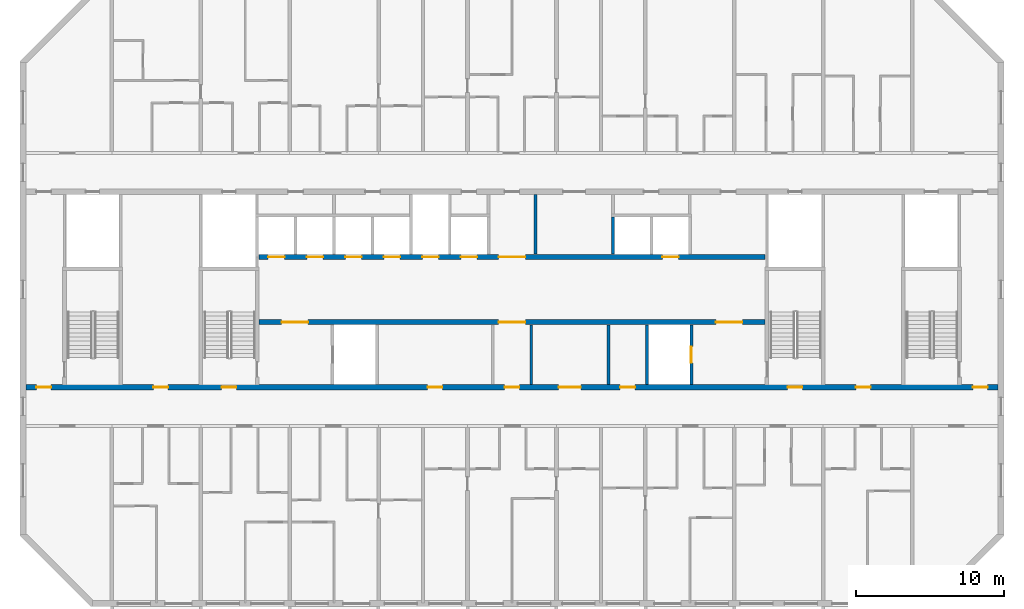
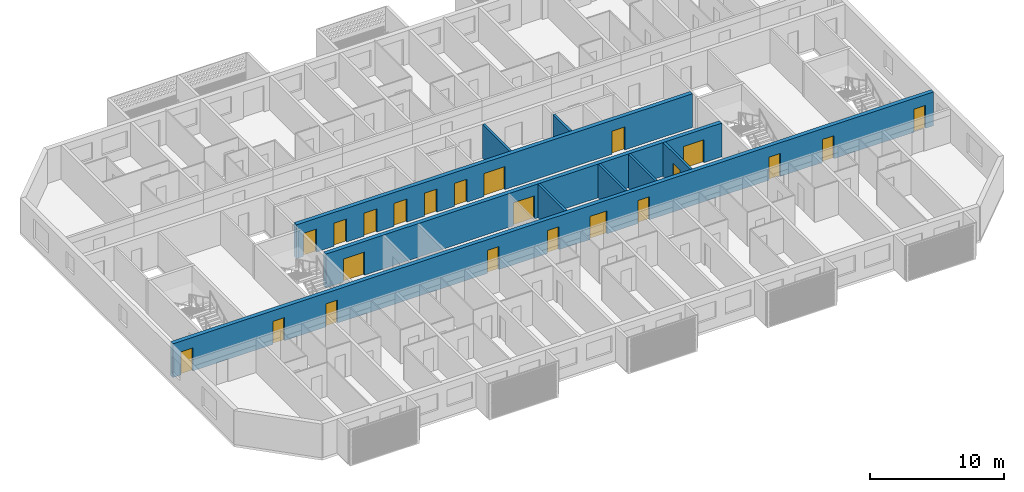
# One storey, part 6 of 26: 22 doors, 9 walls, 22 openings.
"""IFC4 building model written with IfcOpenShell, lengths in metres."""

import ifcopenshell
import ifcopenshell.guid

model = None  # the IFC model being written
_history = None  # IfcOwnerHistory: only IFC2X3 demands one
_inside = {}  # id of a spatial element -> (the spatial element, [elements in it])
_under = {}  # id of a project, library or spatial element -> (it, [spatial elements below it])
_declared = {}  # id of a project -> (the project, [libraries it declares])
_typed = {}  # id of a type object -> (the type object, [elements of that type])
_made_of = {}  # id of a material, layer set ... -> (it, [elements and type objects made of it])


def new_model(schema):
    """Start an empty IFC model of exactly this schema.

    Asked for "IFC4X3", IfcOpenShell would pick the latest addendum, in which some entities
    have other attributes; the version numbers below select the first issue.
    IFC2X3 requires an IfcOwnerHistory on every rooted entity: one is made here for all.
    """
    global model, _history
    if schema == "IFC4X3":
        model = ifcopenshell.file(schema_version=(4, 3, 0, 0))
    else:
        model = ifcopenshell.file(schema=schema)
    _inside.clear()
    _under.clear()
    _declared.clear()
    _typed.clear()
    _made_of.clear()
    _history = None
    if model.schema == "IFC2X3":
        org = make("IfcOrganization", Name="unknown")
        user = make(
            "IfcPersonAndOrganization",
            ThePerson=make("IfcPerson", FamilyName="unknown"),
            TheOrganization=org,
        )
        app = make(
            "IfcApplication",
            ApplicationDeveloper=org,
            Version="unknown",
            ApplicationFullName="unknown",
            ApplicationIdentifier="unknown",
        )
        _history = make(
            "IfcOwnerHistory",
            OwningUser=user,
            OwningApplication=app,
            ChangeAction="ADDED",
            CreationDate=0,
        )
    return model


def make(cls, **values):
    """One entity of the class cls with the attributes given. An attribute that is None is left unset."""
    return model.create_entity(
        cls, **{name: value for name, value in values.items() if value is not None}
    )


def rooted(cls, **values):
    """An entity with a GlobalId (a new one), such as an element, a storey or a relation."""
    return make(cls, GlobalId=ifcopenshell.guid.new(), OwnerHistory=_history, **values)


def si_unit(unit_type, name, prefix=None):
    """IfcSIUnit, for example si_unit("LENGTHUNIT", "METRE", prefix="MILLI")."""
    return make("IfcSIUnit", UnitType=unit_type, Prefix=prefix, Name=name)


def assignment(units):
    """IfcUnitAssignment: the units of a project."""
    return None if units is None else make("IfcUnitAssignment", Units=units)


def point(xyz):
    """IfcCartesianPoint."""
    return None if xyz is None else make("IfcCartesianPoint", Coordinates=xyz)


def direction(xyz):
    """IfcDirection."""
    return None if xyz is None else make("IfcDirection", DirectionRatios=xyz)


def frame(location, z_axis=None, x_axis=None):
    """IfcAxis2Placement3D, a coordinate frame: its origin and axes. An axis left out is left unset."""
    return make(
        "IfcAxis2Placement3D",
        Location=point(location),
        Axis=direction(z_axis),
        RefDirection=direction(x_axis),
    )


def frame_2d(location, x_axis=None):
    """IfcAxis2Placement2D, a coordinate frame in the plane: its origin and x axis."""
    return make(
        "IfcAxis2Placement2D", Location=point(location), RefDirection=direction(x_axis)
    )


def origin():
    """The frame at (0, 0, 0) with its axes left unset."""
    return frame((0.0, 0.0, 0.0))


def place(relative_to, where):
    """IfcLocalPlacement: puts the frame where relative to a parent placement (None: the world)."""
    return make(
        "IfcLocalPlacement", PlacementRelTo=relative_to, RelativePlacement=where
    )


def context(
    kind, dimensions, precision=None, world=None, true_north=None, identifier=None
):
    """IfcGeometricRepresentationContext, for example the 3D "Model" context."""
    return make(
        "IfcGeometricRepresentationContext",
        ContextIdentifier=identifier,
        ContextType=kind,
        CoordinateSpaceDimension=dimensions,
        Precision=precision,
        WorldCoordinateSystem=world,
        TrueNorth=true_north,
    )


def subcontext(parent, identifier, kind, view, scale=None):
    """IfcGeometricRepresentationSubContext, for example "Body" below "Model"."""
    return make(
        "IfcGeometricRepresentationSubContext",
        ContextIdentifier=identifier,
        ContextType=kind,
        ParentContext=parent,
        TargetScale=scale,
        TargetView=view,
    )


def project(units=None, contexts=None):
    """IfcProject with its units and contexts."""
    return rooted(
        "IfcProject",
        Name="project",
        RepresentationContexts=contexts,
        UnitsInContext=assignment(units),
    )


def spatial(cls, under=None, at=None, **own):
    """A site, building, storey or space (cls), placed at a placement, below another one or the project."""
    s = rooted(cls, ObjectPlacement=at, **own)
    if under is not None:
        _under.setdefault(under.id(), (under, []))[1].append(s)
    return s


def profile(cls, at=None, kind="AREA", **sizes):
    """A parametric profile (cls). Its sizes go by their IFC names, for example OverallWidth=200.0."""
    return make(cls, ProfileType=kind, Position=at, **sizes)


def rectangle(**sizes):
    """IfcRectangleProfileDef."""
    return profile("IfcRectangleProfileDef", **sizes)


def extrude(swept, where, along, depth):
    """IfcExtrudedAreaSolid: the profile swept, set in the frame where, extruded along a direction by depth."""
    return make(
        "IfcExtrudedAreaSolid",
        SweptArea=swept,
        Position=where,
        ExtrudedDirection=direction(along),
        Depth=depth,
    )


def shape(context_of_items, identifier, shape_type, items):
    """IfcShapeRepresentation: the items that make up one representation, for example the "Body"."""
    return make(
        "IfcShapeRepresentation",
        ContextOfItems=context_of_items,
        RepresentationIdentifier=identifier,
        RepresentationType=shape_type,
        Items=items,
    )


def material(Name=None, Category=None):
    """IfcMaterial."""
    return make("IfcMaterial", Name=Name, Category=Category)


def layer(
    of_material, thickness, ventilated=None, Name=None, Category=None, Priority=None
):
    """IfcMaterialLayer: one layer of a wall or slab, of a material (None: an air gap)."""
    return make(
        "IfcMaterialLayer",
        Material=of_material,
        LayerThickness=thickness,
        IsVentilated=ventilated,
        Name=Name,
        Category=Category,
        Priority=Priority,
    )


def layer_set(layers, Name=None):
    """IfcMaterialLayerSet."""
    return make("IfcMaterialLayerSet", MaterialLayers=layers, LayerSetName=Name)


def made_of(thing, what):
    """Note that an element or type object is made of a material, layer set ...; save() writes the relation."""
    if what is not None:
        _made_of.setdefault(what.id(), (what, []))[1].append(thing)
    return thing


def type_object(cls, material=None, **own):
    """A type object (cls), such as IfcWallType, which elements share."""
    return made_of(rooted(cls, **own), material)


def element(
    cls,
    number,
    at=None,
    inside=None,
    cuts=None,
    type_object=None,
    material=None,
    context=None,
    identifier="Body",
    shape_type=None,
    held_by="IfcProductDefinitionShape",
    body=None,
    shapes=None,
    **own,
):
    """One element of the class cls, such as IfcWall. Its Tag is "e" and its number.

    at: its placement. inside: the storey or other place that contains it. cuts: it is an
    opening in that element (IfcRelVoidsElement). A single representation is given by context,
    identifier, shape_type and body (its items); several are given by shapes. held_by: the class
    of the entity that holds the representations. save() writes the other relations.
    """
    e = rooted(cls, Tag="e%d" % number, ObjectPlacement=at, **own)
    if body is not None:
        shapes = [shape(context, identifier, shape_type, body)]
    if shapes is not None:
        e.Representation = make(held_by, Representations=shapes)
    if inside is not None:
        _inside.setdefault(inside.id(), (inside, []))[1].append(e)
    if cuts is not None:
        rooted(
            "IfcRelVoidsElement", RelatingBuildingElement=cuts, RelatedOpeningElement=e
        )
    if type_object is not None:
        _typed.setdefault(type_object.id(), (type_object, []))[1].append(e)
    return made_of(e, material)


def fill(opening, filler):
    """IfcRelFillsElement: the door or window that sits in an opening."""
    return rooted(
        "IfcRelFillsElement",
        RelatingOpeningElement=opening,
        RelatedBuildingElement=filler,
    )


def aggregate(whole, parts):
    """IfcRelAggregates: a whole, such as a stair, and the parts it consists of."""
    return rooted("IfcRelAggregates", RelatingObject=whole, RelatedObjects=parts)


def save(model, path):
    """Write the relations noted so far, then the file.

    IfcRelAggregates (storeys below a building ...), IfcRelContainedInSpatialStructure (elements
    in a storey), IfcRelDefinesByType, IfcRelAssociatesMaterial and IfcRelDeclares: one each for
    every whole, place, type object, material and project.
    """
    for whole, parts in _under.values():
        aggregate(whole, parts)
    for where, things in _inside.values():
        rooted(
            "IfcRelContainedInSpatialStructure",
            RelatedElements=things,
            RelatingStructure=where,
        )
    for kind, things in _typed.values():
        rooted("IfcRelDefinesByType", RelatedObjects=things, RelatingType=kind)
    for what, things in _made_of.values():
        rooted("IfcRelAssociatesMaterial", RelatedObjects=things, RelatingMaterial=what)
    for by, libraries in _declared.values():
        rooted("IfcRelDeclares", RelatingContext=by, RelatedDefinitions=libraries)
    model.write(path)


model = new_model("IFC4")

# Units and contexts
model_context = context("Model", 3, precision=1e-05, world=origin(), true_north=direction((0.0, 1.0)))
body_context = subcontext(model_context, "Body", "Model", "MODEL_VIEW")
ifc_project = project(units=[si_unit("LENGTHUNIT", "METRE"), si_unit("AREAUNIT", "SQUARE_METRE"), si_unit("VOLUMEUNIT", "CUBIC_METRE"), si_unit("PLANEANGLEUNIT", "RADIAN"), si_unit("MASSUNIT", "GRAM", prefix="KILO")], contexts=[model_context])

# Site, building, storey
site_placement = place(None, origin())
site = spatial("IfcSite", under=ifc_project, at=site_placement, CompositionType="ELEMENT")
building_placement = place(site_placement, origin())
building = spatial("IfcBuilding", under=site, at=building_placement, Name="Poui Terraces", CompositionType="ELEMENT")
storey_placement = place(building_placement, frame((0.0, 0.0, 228.0)))
storey = spatial("IfcBuildingStorey", under=building, at=storey_placement, Name="L63", CompositionType="ELEMENT", Elevation=228.0)

# Wall, openings, doors
ifc_material_1 = material(Name="Concrete 50 MPa", Category="concrete")
ifc_layer_1 = layer(ifc_material_1, 0.35009765625)
ifc_layer_set_1 = layer_set([ifc_layer_1], Name="Concrete 50 MPa")
wall_type_1 = type_object("IfcWallType", Name="CORE WALL 350 50 MPA", PredefinedType="SOLIDWALL", material=ifc_layer_set_1)
wall_1_placement = place(storey_placement, frame((33.925048828125, 19.0, 0.0), z_axis=(0.0, 0.0, 1.0), x_axis=(1.0, 0.0, 0.0)))
wall_1 = element("IfcWall", 1, at=wall_1_placement, inside=storey, type_object=wall_type_1, Name="CORE WALL", PredefinedType="SOLIDWALL", context=body_context, shape_type="SweptSolid", body=[
    extrude(rectangle(XDim=34.14990234375, YDim=0.35009765625, at=frame_2d((17.074951171875, 0.0))), origin(), (0.0, 0.0, 1.0), 3.080078125),
])
opening_1_placement = place(wall_1_placement, frame((16.175048828125, 0.0, 0.0)))
opening_1 = element("IfcOpeningElement", 2, at=opening_1_placement, cuts=wall_1, Name="Opening FDD60", PredefinedType="OPENING", context=body_context, shape_type="SweptSolid", body=[
    extrude(rectangle(XDim=1.800048828125, YDim=2.10009765625, at=frame_2d((0.89990234375, 1.050048828125))), frame((0.0, 0.18505859375, 0.0), z_axis=(0.0, -1.0, 0.0), x_axis=(1.0, 0.0, 0.0)), (0.0, 0.0, 1.0), 0.3701171875),
])
opening_2_placement = place(wall_1_placement, frame((1.52490234375, 0.0, 0.0)))
opening_2 = element("IfcOpeningElement", 3, at=opening_2_placement, cuts=wall_1, Name="Opening FDD60", PredefinedType="OPENING", context=body_context, shape_type="SweptSolid", body=[
    extrude(rectangle(XDim=1.800048828125, YDim=2.10009765625, at=frame_2d((0.89990234375, 1.050048828125))), frame((0.0, 0.18505859375, 0.0), z_axis=(0.0, -1.0, 0.0), x_axis=(1.0, 0.0, 0.0)), (0.0, 0.0, 1.0), 0.3701171875),
])
opening_3_placement = place(wall_1_placement, frame((30.824951171875, 0.0, 0.0)))
opening_3 = element("IfcOpeningElement", 4, at=opening_3_placement, cuts=wall_1, Name="Opening FDD60", PredefinedType="OPENING", context=body_context, shape_type="SweptSolid", body=[
    extrude(rectangle(XDim=1.800048828125, YDim=2.10009765625, at=frame_2d((0.89990234375, 1.050048828125))), frame((0.0, 0.18505859375, 0.0), z_axis=(0.0, -1.0, 0.0), x_axis=(1.0, 0.0, 0.0)), (0.0, 0.0, 1.0), 0.3701171875),
])
ifc_material_2 = material(Name="Steel fire door", Category="steel")
door_type_1 = type_object("IfcDoorType", Name="DOUBLE LOBBY FIRE DOOR 1800 X 2100", OperationType="DOUBLE_DOOR_SINGLE_SWING", PredefinedType="DOOR", material=ifc_material_2)
door_1_placement = place(opening_1_placement, frame((1.800048828125, 0.0, 0.0), z_axis=(0.0, 0.0, 1.0), x_axis=(-1.0, 0.0, 0.0)))
door_1 = element("IfcDoor", 5, at=door_1_placement, inside=storey, type_object=door_type_1, Name="DOUBLE LOBBY FIRE DOOR 100", OperationType="DOUBLE_DOOR_SINGLE_SWING", OverallHeight=2.10009765625, OverallWidth=1.800048828125, PredefinedType="DOOR", context=body_context, shape_type="SweptSolid", body=[
    extrude(rectangle(XDim=1.800048828125, YDim=2.10009765625, at=frame_2d((0.89990234375, 1.050048828125))), frame((0.0, 0.02490234375, 0.0), z_axis=(0.0, -1.0, 0.0), x_axis=(1.0, 0.0, 0.0)), (0.0, 0.0, 1.0), 0.050048828125),
])
fill(opening_1, door_1)
door_2_placement = place(opening_2_placement, origin())
door_2 = element("IfcDoor", 6, at=door_2_placement, inside=storey, type_object=door_type_1, Name="DOUBLE LOBBY FIRE DOOR 102", OperationType="DOUBLE_DOOR_SINGLE_SWING", OverallHeight=2.10009765625, OverallWidth=1.800048828125, PredefinedType="DOOR", context=body_context, shape_type="SweptSolid", body=[
    extrude(rectangle(XDim=1.800048828125, YDim=2.10009765625, at=frame_2d((0.89990234375, 1.050048828125))), frame((0.0, 0.02490234375, 0.0), z_axis=(0.0, -1.0, 0.0), x_axis=(1.0, 0.0, 0.0)), (0.0, 0.0, 1.0), 0.050048828125),
])
fill(opening_2, door_2)
door_3_placement = place(opening_3_placement, origin())
door_3 = element("IfcDoor", 7, at=door_3_placement, inside=storey, type_object=door_type_1, Name="DOUBLE LOBBY FIRE DOOR 109", OperationType="DOUBLE_DOOR_SINGLE_SWING", OverallHeight=2.10009765625, OverallWidth=1.800048828125, PredefinedType="DOOR", context=body_context, shape_type="SweptSolid", body=[
    extrude(rectangle(XDim=1.800048828125, YDim=2.10009765625, at=frame_2d((0.89990234375, 1.050048828125))), frame((0.0, 0.02490234375, 0.0), z_axis=(0.0, -1.0, 0.0), x_axis=(1.0, 0.0, 0.0)), (0.0, 0.0, 1.0), 0.050048828125),
])
fill(opening_3, door_3)

wall_2_placement = place(storey_placement, frame((33.925048828125, 23.39990234375, 0.0), z_axis=(0.0, 0.0, 1.0), x_axis=(1.0, 0.0, 0.0)))
wall_2 = element("IfcWall", 8, at=wall_2_placement, inside=storey, type_object=wall_type_1, Name="CORE WALL", PredefinedType="SOLIDWALL", context=body_context, shape_type="SweptSolid", body=[
    extrude(rectangle(XDim=34.14990234375, YDim=0.35009765625, at=frame_2d((17.074951171875, 0.0))), origin(), (0.0, 0.0, 1.0), 3.080078125),
])
opening_4_placement = place(wall_2_placement, frame((16.175048828125, 0.0, 0.0)))
opening_4 = element("IfcOpeningElement", 9, at=opening_4_placement, cuts=wall_2, Name="Opening FDD60", PredefinedType="OPENING", context=body_context, shape_type="SweptSolid", body=[
    extrude(rectangle(XDim=1.800048828125, YDim=2.10009765625, at=frame_2d((0.89990234375, 1.050048828125))), frame((0.0, 0.18505859375, 0.0), z_axis=(0.0, -1.0, 0.0), x_axis=(1.0, 0.0, 0.0)), (0.0, 0.0, 1.0), 0.3701171875),
])
opening_5_placement = place(wall_2_placement, frame((0.625, 0.0, 0.0)))
opening_5 = element("IfcOpeningElement", 10, at=opening_5_placement, cuts=wall_2, Name="Opening LD", PredefinedType="OPENING", context=body_context, shape_type="SweptSolid", body=[
    extrude(rectangle(XDim=1.10009765625, YDim=2.10009765625, at=frame_2d((0.550048828125, 1.050048828125))), frame((0.0, 0.18505859375, 0.0), z_axis=(0.0, -1.0, 0.0), x_axis=(1.0, 0.0, 0.0)), (0.0, 0.0, 1.0), 0.3701171875),
])
opening_6_placement = place(wall_2_placement, frame((3.22509765625, 0.0, 0.0)))
opening_6 = element("IfcOpeningElement", 11, at=opening_6_placement, cuts=wall_2, Name="Opening LD", PredefinedType="OPENING", context=body_context, shape_type="SweptSolid", body=[
    extrude(rectangle(XDim=1.10009765625, YDim=2.10009765625, at=frame_2d((0.550048828125, 1.050048828125))), frame((0.0, 0.18505859375, 0.0), z_axis=(0.0, -1.0, 0.0), x_axis=(1.0, 0.0, 0.0)), (0.0, 0.0, 1.0), 0.3701171875),
])
opening_7_placement = place(wall_2_placement, frame((5.824951171875, 0.0, 0.0)))
opening_7 = element("IfcOpeningElement", 12, at=opening_7_placement, cuts=wall_2, Name="Opening LD", PredefinedType="OPENING", context=body_context, shape_type="SweptSolid", body=[
    extrude(rectangle(XDim=1.10009765625, YDim=2.10009765625, at=frame_2d((0.550048828125, 1.050048828125))), frame((0.0, 0.18505859375, 0.0), z_axis=(0.0, -1.0, 0.0), x_axis=(1.0, 0.0, 0.0)), (0.0, 0.0, 1.0), 0.3701171875),
])
opening_8_placement = place(wall_2_placement, frame((8.425048828125, 0.0, 0.0)))
opening_8 = element("IfcOpeningElement", 13, at=opening_8_placement, cuts=wall_2, Name="Opening LD", PredefinedType="OPENING", context=body_context, shape_type="SweptSolid", body=[
    extrude(rectangle(XDim=1.10009765625, YDim=2.10009765625, at=frame_2d((0.550048828125, 1.050048828125))), frame((0.0, 0.18505859375, 0.0), z_axis=(0.0, -1.0, 0.0), x_axis=(1.0, 0.0, 0.0)), (0.0, 0.0, 1.0), 0.3701171875),
])
opening_9_placement = place(wall_2_placement, frame((11.02490234375, 0.0, 0.0)))
opening_9 = element("IfcOpeningElement", 14, at=opening_9_placement, cuts=wall_2, Name="Opening LD", PredefinedType="OPENING", context=body_context, shape_type="SweptSolid", body=[
    extrude(rectangle(XDim=1.10009765625, YDim=2.10009765625, at=frame_2d((0.550048828125, 1.050048828125))), frame((0.0, 0.18505859375, 0.0), z_axis=(0.0, -1.0, 0.0), x_axis=(1.0, 0.0, 0.0)), (0.0, 0.0, 1.0), 0.3701171875),
])
opening_10_placement = place(wall_2_placement, frame((13.625, 0.0, 0.0)))
opening_10 = element("IfcOpeningElement", 15, at=opening_10_placement, cuts=wall_2, Name="Opening LD", PredefinedType="OPENING", context=body_context, shape_type="SweptSolid", body=[
    extrude(rectangle(XDim=1.10009765625, YDim=2.10009765625, at=frame_2d((0.550048828125, 1.050048828125))), frame((0.0, 0.18505859375, 0.0), z_axis=(0.0, -1.0, 0.0), x_axis=(1.0, 0.0, 0.0)), (0.0, 0.0, 1.0), 0.3701171875),
])
opening_11_placement = place(wall_2_placement, frame((27.22509765625, 0.0, 0.0)))
opening_11 = element("IfcOpeningElement", 16, at=opening_11_placement, cuts=wall_2, Name="Opening LD", PredefinedType="OPENING", context=body_context, shape_type="SweptSolid", body=[
    extrude(rectangle(XDim=1.10009765625, YDim=2.10009765625, at=frame_2d((0.550048828125, 1.050048828125))), frame((0.0, 0.18505859375, 0.0), z_axis=(0.0, -1.0, 0.0), x_axis=(1.0, 0.0, 0.0)), (0.0, 0.0, 1.0), 0.3701171875),
])
door_4_placement = place(opening_4_placement, origin())
door_4 = element("IfcDoor", 17, at=door_4_placement, inside=storey, type_object=door_type_1, Name="DOUBLE LOBBY FIRE DOOR 099", OperationType="DOUBLE_DOOR_SINGLE_SWING", OverallHeight=2.10009765625, OverallWidth=1.800048828125, PredefinedType="DOOR", context=body_context, shape_type="SweptSolid", body=[
    extrude(rectangle(XDim=1.800048828125, YDim=2.10009765625, at=frame_2d((0.89990234375, 1.050048828125))), frame((0.0, 0.02490234375, 0.0), z_axis=(0.0, -1.0, 0.0), x_axis=(1.0, 0.0, 0.0)), (0.0, 0.0, 1.0), 0.050048828125),
])
fill(opening_4, door_4)
ifc_material_3 = material(Name="Stainless steel sliding door", Category="steel")
door_type_2 = type_object("IfcDoorType", Name="LIFT LANDING DOOR 1100 X 2100", OperationType="DOUBLE_DOOR_SLIDING", PredefinedType="DOOR", material=ifc_material_3)
door_5_placement = place(opening_5_placement, origin())
door_5 = element("IfcDoor", 18, at=door_5_placement, inside=storey, type_object=door_type_2, Name="LANDING DOOR", OperationType="DOUBLE_DOOR_SLIDING", OverallHeight=2.10009765625, OverallWidth=1.10009765625, PredefinedType="DOOR", context=body_context, shape_type="SweptSolid", body=[
    extrude(rectangle(XDim=1.10009765625, YDim=2.10009765625, at=frame_2d((0.550048828125, 1.050048828125))), frame((0.0, 0.02490234375, 0.0), z_axis=(0.0, -1.0, 0.0), x_axis=(1.0, 0.0, 0.0)), (0.0, 0.0, 1.0), 0.050048828125),
])
fill(opening_5, door_5)
door_6_placement = place(opening_6_placement, origin())
door_6 = element("IfcDoor", 19, at=door_6_placement, inside=storey, type_object=door_type_2, Name="LANDING DOOR", OperationType="DOUBLE_DOOR_SLIDING", OverallHeight=2.10009765625, OverallWidth=1.10009765625, PredefinedType="DOOR", context=body_context, shape_type="SweptSolid", body=[
    extrude(rectangle(XDim=1.10009765625, YDim=2.10009765625, at=frame_2d((0.550048828125, 1.050048828125))), frame((0.0, 0.02490234375, 0.0), z_axis=(0.0, -1.0, 0.0), x_axis=(1.0, 0.0, 0.0)), (0.0, 0.0, 1.0), 0.050048828125),
])
fill(opening_6, door_6)
door_7_placement = place(opening_7_placement, origin())
door_7 = element("IfcDoor", 20, at=door_7_placement, inside=storey, type_object=door_type_2, Name="LANDING DOOR", OperationType="DOUBLE_DOOR_SLIDING", OverallHeight=2.10009765625, OverallWidth=1.10009765625, PredefinedType="DOOR", context=body_context, shape_type="SweptSolid", body=[
    extrude(rectangle(XDim=1.10009765625, YDim=2.10009765625, at=frame_2d((0.550048828125, 1.050048828125))), frame((0.0, 0.02490234375, 0.0), z_axis=(0.0, -1.0, 0.0), x_axis=(1.0, 0.0, 0.0)), (0.0, 0.0, 1.0), 0.050048828125),
])
fill(opening_7, door_7)
door_8_placement = place(opening_8_placement, origin())
door_8 = element("IfcDoor", 21, at=door_8_placement, inside=storey, type_object=door_type_2, Name="LANDING DOOR", OperationType="DOUBLE_DOOR_SLIDING", OverallHeight=2.10009765625, OverallWidth=1.10009765625, PredefinedType="DOOR", context=body_context, shape_type="SweptSolid", body=[
    extrude(rectangle(XDim=1.10009765625, YDim=2.10009765625, at=frame_2d((0.550048828125, 1.050048828125))), frame((0.0, 0.02490234375, 0.0), z_axis=(0.0, -1.0, 0.0), x_axis=(1.0, 0.0, 0.0)), (0.0, 0.0, 1.0), 0.050048828125),
])
fill(opening_8, door_8)
door_9_placement = place(opening_9_placement, origin())
door_9 = element("IfcDoor", 22, at=door_9_placement, inside=storey, type_object=door_type_2, Name="LANDING DOOR", OperationType="DOUBLE_DOOR_SLIDING", OverallHeight=2.10009765625, OverallWidth=1.10009765625, PredefinedType="DOOR", context=body_context, shape_type="SweptSolid", body=[
    extrude(rectangle(XDim=1.10009765625, YDim=2.10009765625, at=frame_2d((0.550048828125, 1.050048828125))), frame((0.0, 0.02490234375, 0.0), z_axis=(0.0, -1.0, 0.0), x_axis=(1.0, 0.0, 0.0)), (0.0, 0.0, 1.0), 0.050048828125),
])
fill(opening_9, door_9)
door_10_placement = place(opening_10_placement, origin())
door_10 = element("IfcDoor", 23, at=door_10_placement, inside=storey, type_object=door_type_2, Name="LANDING DOOR", OperationType="DOUBLE_DOOR_SLIDING", OverallHeight=2.10009765625, OverallWidth=1.10009765625, PredefinedType="DOOR", context=body_context, shape_type="SweptSolid", body=[
    extrude(rectangle(XDim=1.10009765625, YDim=2.10009765625, at=frame_2d((0.550048828125, 1.050048828125))), frame((0.0, 0.02490234375, 0.0), z_axis=(0.0, -1.0, 0.0), x_axis=(1.0, 0.0, 0.0)), (0.0, 0.0, 1.0), 0.050048828125),
])
fill(opening_10, door_10)
door_11_placement = place(opening_11_placement, origin())
door_11 = element("IfcDoor", 24, at=door_11_placement, inside=storey, type_object=door_type_2, Name="LANDING DOOR", OperationType="DOUBLE_DOOR_SLIDING", OverallHeight=2.10009765625, OverallWidth=1.10009765625, PredefinedType="DOOR", context=body_context, shape_type="SweptSolid", body=[
    extrude(rectangle(XDim=1.10009765625, YDim=2.10009765625, at=frame_2d((0.550048828125, 1.050048828125))), frame((0.0, 0.02490234375, 0.0), z_axis=(0.0, -1.0, 0.0), x_axis=(1.0, 0.0, 0.0)), (0.0, 0.0, 1.0), 0.050048828125),
])
fill(opening_11, door_11)

# Walls
ifc_material_4 = material(Name="Fire-rated masonry wall", Category="masonry")
ifc_layer_2 = layer(ifc_material_4, 0.199951171875)
ifc_layer_set_2 = layer_set([ifc_layer_2], Name="Fire-rated masonry wall")
wall_type_2 = type_object("IfcWallType", Name="PLANT ROOM WALL 200", PredefinedType="PARTITIONING", material=ifc_layer_set_2)
for number, where, z_axis, x_axis, name in (
    (25, (52.300048828125, 14.784912109375, 0.0), (0.0, 0.0, 1.0), (0.0, 1.0, 0.0), "PLANT ROOM WALL 200"),
    (26, (52.60009765625, 23.5849609375, 0.0), (0.0, 0.0, 1.0), (0.0, 1.0, 0.0), "PLANT ROOM WALL 200"),
    (27, (57.5, 14.784912109375, 0.0), (0.0, 0.0, 1.0), (0.0, 1.0, 0.0), "PLANT ROOM WALL 200"),
):
    element("IfcWall", number, at=place(storey_placement, frame(where, z_axis=z_axis, x_axis=x_axis)), inside=storey, type_object=wall_type_2, Name=name, PredefinedType="PARTITIONING", context=body_context, shape_type="SweptSolid", body=[
        extrude(rectangle(XDim=4.030029296875, YDim=0.199951171875, at=frame_2d((2.01513671875, 0.0))), origin(), (0.0, 0.0, 1.0), 3.080078125),
    ])
ifc_material_5 = material(Name="Fire-rated masonry shaft wall", Category="masonry")
ifc_layer_3 = layer(ifc_material_5, 0.199951171875)
ifc_layer_set_3 = layer_set([ifc_layer_3], Name="Fire-rated masonry shaft wall")
wall_type_3 = type_object("IfcWallType", Name="SHAFT WALL 200", PredefinedType="PARTITIONING", material=ifc_layer_set_3)
wall_3_placement = place(storey_placement, frame((57.800048828125, 23.5849609375, 0.0), z_axis=(0.0, 0.0, 1.0), x_axis=(0.0, 1.0, 0.0)))
element("IfcWall", 28, at=wall_3_placement, inside=storey, type_object=wall_type_3, Name="SHAFT WALL 200", PredefinedType="PARTITIONING", context=body_context, shape_type="SweptSolid", body=[
    extrude(rectangle(XDim=2.51513671875, YDim=0.199951171875, at=frame_2d((1.257568359375, 0.0))), origin(), (0.0, 0.0, 1.0), 3.080078125),
])
wall_4_placement = place(storey_placement, frame((60.10009765625, 14.784912109375, 0.0), z_axis=(0.0, 0.0, 1.0), x_axis=(0.0, 1.0, 0.0)))
element("IfcWall", 29, at=wall_4_placement, inside=storey, type_object=wall_type_3, Name="SHAFT WALL 200", PredefinedType="PARTITIONING", context=body_context, shape_type="SweptSolid", body=[
    extrude(rectangle(XDim=4.030029296875, YDim=0.199951171875, at=frame_2d((2.01513671875, 0.0))), origin(), (0.0, 0.0, 1.0), 3.080078125),
])

# Wall, opening, door
wall_5_placement = place(storey_placement, frame((63.10009765625, 14.784912109375, 0.0), z_axis=(0.0, 0.0, 1.0), x_axis=(0.0, 1.0, 0.0)))
wall_5 = element("IfcWall", 30, at=wall_5_placement, inside=storey, type_object=wall_type_3, Name="SHAFT WALL 200", PredefinedType="PARTITIONING", context=body_context, shape_type="SweptSolid", body=[
    extrude(rectangle(XDim=4.030029296875, YDim=0.199951171875, at=frame_2d((2.01513671875, 0.0))), origin(), (0.0, 0.0, 1.0), 3.080078125),
])
opening_12_placement = place(wall_5_placement, frame((1.465087890625, 0.0, 0.0)))
opening_12 = element("IfcOpeningElement", 31, at=opening_12_placement, cuts=wall_5, Name="Opening LD", PredefinedType="OPENING", context=body_context, shape_type="SweptSolid", body=[
    extrude(rectangle(XDim=1.10009765625, YDim=2.10009765625, at=frame_2d((0.550048828125, 1.050048828125))), frame((0.0, 0.10986328125, 0.0), z_axis=(0.0, -1.0, 0.0), x_axis=(1.0, 0.0, 0.0)), (0.0, 0.0, 1.0), 0.219970703125),
])
door_12_placement = place(opening_12_placement, origin())
door_12 = element("IfcDoor", 32, at=door_12_placement, inside=storey, type_object=door_type_2, Name="LANDING DOOR", OperationType="DOUBLE_DOOR_SLIDING", OverallHeight=2.10009765625, OverallWidth=1.10009765625, PredefinedType="DOOR", context=body_context, shape_type="SweptSolid", body=[
    extrude(rectangle(XDim=1.10009765625, YDim=2.10009765625, at=frame_2d((0.550048828125, 1.050048828125))), frame((0.0, 0.02490234375, 0.0), z_axis=(0.0, -1.0, 0.0), x_axis=(1.0, 0.0, 0.0)), (0.0, 0.0, 1.0), 0.050048828125),
])
fill(opening_12, door_12)

# Wall, openings, doors
ifc_layer_4 = layer(ifc_material_1, 0.35009765625)
ifc_layer_set_4 = layer_set([ifc_layer_4], Name="Concrete 50 MPa")
wall_type_4 = type_object("IfcWallType", Name="SPINE WALL 350 50 MPA", PredefinedType="SOLIDWALL", material=ifc_layer_set_4)
wall_6_placement = place(storey_placement, frame((18.199951171875, 14.60009765625, 0.0), z_axis=(0.0, 0.0, 1.0), x_axis=(1.0, 0.0, 0.0)))
wall_6 = element("IfcWall", 33, at=wall_6_placement, inside=storey, type_object=wall_type_4, Name="SPINE WALL", PredefinedType="SOLIDWALL", context=body_context, shape_type="SweptSolid", body=[
    extrude(rectangle(XDim=65.60009765625, YDim=0.35009765625, at=frame_2d((32.800048828125, 0.0))), origin(), (0.0, 0.0, 1.0), 3.080078125),
])
opening_13_placement = place(wall_6_placement, frame((0.699951171875, 0.0, 0.0)))
opening_13 = element("IfcOpeningElement", 34, at=opening_13_placement, cuts=wall_6, Name="Opening FDL", PredefinedType="OPENING", context=body_context, shape_type="SweptSolid", body=[
    extrude(rectangle(XDim=1.0, YDim=2.10009765625, at=frame_2d((0.5, 1.050048828125))), frame((0.0, 0.18505859375, 0.0), z_axis=(0.0, -1.0, 0.0), x_axis=(1.0, 0.0, 0.0)), (0.0, 0.0, 1.0), 0.3701171875),
])
opening_14_placement = place(wall_6_placement, frame((8.60009765625, 0.0, 0.0)))
opening_14 = element("IfcOpeningElement", 35, at=opening_14_placement, cuts=wall_6, Name="Opening D100", PredefinedType="OPENING", context=body_context, shape_type="SweptSolid", body=[
    extrude(rectangle(XDim=1.0, YDim=2.10009765625, at=frame_2d((0.5, 1.050048828125))), frame((0.0, 0.18505859375, 0.0), z_axis=(0.0, -1.0, 0.0), x_axis=(1.0, 0.0, 0.0)), (0.0, 0.0, 1.0), 0.3701171875),
])
opening_15_placement = place(wall_6_placement, frame((13.199951171875, 0.0, 0.0)))
opening_15 = element("IfcOpeningElement", 36, at=opening_15_placement, cuts=wall_6, Name="Opening FD60S", PredefinedType="OPENING", context=body_context, shape_type="SweptSolid", body=[
    extrude(rectangle(XDim=1.0, YDim=2.10009765625, at=frame_2d((0.5, 1.050048828125))), frame((0.0, 0.18505859375, 0.0), z_axis=(0.0, -1.0, 0.0), x_axis=(1.0, 0.0, 0.0)), (0.0, 0.0, 1.0), 0.3701171875),
])
opening_16_placement = place(wall_6_placement, frame((27.10009765625, 0.0, 0.0)))
opening_16 = element("IfcOpeningElement", 37, at=opening_16_placement, cuts=wall_6, Name="Opening FD60", PredefinedType="OPENING", context=body_context, shape_type="SweptSolid", body=[
    extrude(rectangle(XDim=1.0, YDim=2.10009765625, at=frame_2d((0.5, 1.050048828125))), frame((0.0, 0.18505859375, 0.0), z_axis=(0.0, -1.0, 0.0), x_axis=(1.0, 0.0, 0.0)), (0.0, 0.0, 1.0), 0.3701171875),
])
opening_17_placement = place(wall_6_placement, frame((32.300048828125, 0.0, 0.0)))
opening_17 = element("IfcOpeningElement", 38, at=opening_17_placement, cuts=wall_6, Name="Opening FDL", PredefinedType="OPENING", context=body_context, shape_type="SweptSolid", body=[
    extrude(rectangle(XDim=1.0, YDim=2.10009765625, at=frame_2d((0.5, 1.050048828125))), frame((0.0, 0.18505859375, 0.0), z_axis=(0.0, -1.0, 0.0), x_axis=(1.0, 0.0, 0.0)), (0.0, 0.0, 1.0), 0.3701171875),
])
opening_18_placement = place(wall_6_placement, frame((35.949951171875, 0.0, 0.0)))
opening_18 = element("IfcOpeningElement", 39, at=opening_18_placement, cuts=wall_6, Name="Opening FDP", PredefinedType="OPENING", context=body_context, shape_type="SweptSolid", body=[
    extrude(rectangle(XDim=1.5, YDim=2.10009765625, at=frame_2d((0.75, 1.050048828125))), frame((0.0, 0.18505859375, 0.0), z_axis=(0.0, -1.0, 0.0), x_axis=(1.0, 0.0, 0.0)), (0.0, 0.0, 1.0), 0.3701171875),
])
opening_19_placement = place(wall_6_placement, frame((40.10009765625, 0.0, 0.0)))
opening_19 = element("IfcOpeningElement", 40, at=opening_19_placement, cuts=wall_6, Name="Opening FD60", PredefinedType="OPENING", context=body_context, shape_type="SweptSolid", body=[
    extrude(rectangle(XDim=1.0, YDim=2.10009765625, at=frame_2d((0.5, 1.050048828125))), frame((0.0, 0.18505859375, 0.0), z_axis=(0.0, -1.0, 0.0), x_axis=(1.0, 0.0, 0.0)), (0.0, 0.0, 1.0), 0.3701171875),
])
opening_20_placement = place(wall_6_placement, frame((51.39990234375, 0.0, 0.0)))
opening_20 = element("IfcOpeningElement", 41, at=opening_20_placement, cuts=wall_6, Name="Opening FD60S", PredefinedType="OPENING", context=body_context, shape_type="SweptSolid", body=[
    extrude(rectangle(XDim=1.0, YDim=2.10009765625, at=frame_2d((0.5, 1.050048828125))), frame((0.0, 0.18505859375, 0.0), z_axis=(0.0, -1.0, 0.0), x_axis=(1.0, 0.0, 0.0)), (0.0, 0.0, 1.0), 0.3701171875),
])
opening_21_placement = place(wall_6_placement, frame((56.0, 0.0, 0.0)))
opening_21 = element("IfcOpeningElement", 42, at=opening_21_placement, cuts=wall_6, Name="Opening D100", PredefinedType="OPENING", context=body_context, shape_type="SweptSolid", body=[
    extrude(rectangle(XDim=1.0, YDim=2.10009765625, at=frame_2d((0.5, 1.050048828125))), frame((0.0, 0.18505859375, 0.0), z_axis=(0.0, -1.0, 0.0), x_axis=(1.0, 0.0, 0.0)), (0.0, 0.0, 1.0), 0.3701171875),
])
opening_22_placement = place(wall_6_placement, frame((63.89990234375, 0.0, 0.0)))
opening_22 = element("IfcOpeningElement", 43, at=opening_22_placement, cuts=wall_6, Name="Opening FDL", PredefinedType="OPENING", context=body_context, shape_type="SweptSolid", body=[
    extrude(rectangle(XDim=1.0, YDim=2.10009765625, at=frame_2d((0.5, 1.050048828125))), frame((0.0, 0.18505859375, 0.0), z_axis=(0.0, -1.0, 0.0), x_axis=(1.0, 0.0, 0.0)), (0.0, 0.0, 1.0), 0.3701171875),
])
ifc_material_6 = material(Name="Solid core timber door", Category="wood")
door_type_3 = type_object("IfcDoorType", Name="ACCESSIBLE INTERNAL DOOR 1000 X 2100", OperationType="NOTDEFINED", PredefinedType="DOOR", material=ifc_material_6)
door_13_placement = place(opening_14_placement, frame((1.0, 0.0, 0.0), z_axis=(0.0, 0.0, 1.0), x_axis=(-1.0, 0.0, 0.0)))
door_13 = element("IfcDoor", 44, at=door_13_placement, inside=storey, type_object=door_type_3, Name="ACCESSIBLE INTERNAL DOOR 015", OperationType="SINGLE_SWING_RIGHT", OverallHeight=2.10009765625, OverallWidth=1.0, PredefinedType="DOOR", context=body_context, shape_type="SweptSolid", body=[
    extrude(rectangle(XDim=1.0, YDim=2.10009765625, at=frame_2d((0.5, 1.050048828125))), frame((0.0, 0.02490234375, 0.0), z_axis=(0.0, -1.0, 0.0), x_axis=(1.0, 0.0, 0.0)), (0.0, 0.0, 1.0), 0.050048828125),
])
fill(opening_14, door_13)
door_14_placement = place(opening_21_placement, frame((1.0, 0.0, 0.0), z_axis=(0.0, 0.0, 1.0), x_axis=(-1.0, 0.0, 0.0)))
door_14 = element("IfcDoor", 45, at=door_14_placement, inside=storey, type_object=door_type_3, Name="ACCESSIBLE INTERNAL DOOR 022", OperationType="SINGLE_SWING_LEFT", OverallHeight=2.10009765625, OverallWidth=1.0, PredefinedType="DOOR", context=body_context, shape_type="SweptSolid", body=[
    extrude(rectangle(XDim=1.0, YDim=2.10009765625, at=frame_2d((0.5, 1.050048828125))), frame((0.0, 0.02490234375, 0.0), z_axis=(0.0, -1.0, 0.0), x_axis=(1.0, 0.0, 0.0)), (0.0, 0.0, 1.0), 0.050048828125),
])
fill(opening_21, door_14)
door_type_4 = type_object("IfcDoorType", Name="LOBBY FIRE DOOR 1000 X 2100", OperationType="NOTDEFINED", PredefinedType="DOOR", material=ifc_material_2)
door_15_placement = place(opening_13_placement, frame((1.0, 0.0, 0.0), z_axis=(0.0, 0.0, 1.0), x_axis=(-1.0, 0.0, 0.0)))
door_15 = element("IfcDoor", 46, at=door_15_placement, inside=storey, type_object=door_type_4, Name="LOBBY FIRE DOOR 014", OperationType="SINGLE_SWING_RIGHT", OverallHeight=2.10009765625, OverallWidth=1.0, PredefinedType="DOOR", context=body_context, shape_type="SweptSolid", body=[
    extrude(rectangle(XDim=1.0, YDim=2.10009765625, at=frame_2d((0.5, 1.050048828125))), frame((0.0, 0.02490234375, 0.0), z_axis=(0.0, -1.0, 0.0), x_axis=(1.0, 0.0, 0.0)), (0.0, 0.0, 1.0), 0.050048828125),
])
fill(opening_13, door_15)
door_16_placement = place(opening_17_placement, frame((1.0, 0.0, 0.0), z_axis=(0.0, 0.0, 1.0), x_axis=(-1.0, 0.0, 0.0)))
door_16 = element("IfcDoor", 47, at=door_16_placement, inside=storey, type_object=door_type_4, Name="LOBBY FIRE DOOR 018", OperationType="SINGLE_SWING_LEFT", OverallHeight=2.10009765625, OverallWidth=1.0, PredefinedType="DOOR", context=body_context, shape_type="SweptSolid", body=[
    extrude(rectangle(XDim=1.0, YDim=2.10009765625, at=frame_2d((0.5, 1.050048828125))), frame((0.0, 0.02490234375, 0.0), z_axis=(0.0, -1.0, 0.0), x_axis=(1.0, 0.0, 0.0)), (0.0, 0.0, 1.0), 0.050048828125),
])
fill(opening_17, door_16)
door_17_placement = place(opening_22_placement, frame((1.0, 0.0, 0.0), z_axis=(0.0, 0.0, 1.0), x_axis=(-1.0, 0.0, 0.0)))
door_17 = element("IfcDoor", 48, at=door_17_placement, inside=storey, type_object=door_type_4, Name="LOBBY FIRE DOOR 023", OperationType="SINGLE_SWING_LEFT", OverallHeight=2.10009765625, OverallWidth=1.0, PredefinedType="DOOR", context=body_context, shape_type="SweptSolid", body=[
    extrude(rectangle(XDim=1.0, YDim=2.10009765625, at=frame_2d((0.5, 1.050048828125))), frame((0.0, 0.02490234375, 0.0), z_axis=(0.0, -1.0, 0.0), x_axis=(1.0, 0.0, 0.0)), (0.0, 0.0, 1.0), 0.050048828125),
])
fill(opening_22, door_17)
door_type_5 = type_object("IfcDoorType", Name="PLANT ROOM DOOR PAIR 1500 X 2100", OperationType="DOUBLE_DOOR_SINGLE_SWING", PredefinedType="DOOR", material=ifc_material_2)
door_18_placement = place(opening_18_placement, frame((1.5, 0.0, 0.0), z_axis=(0.0, 0.0, 1.0), x_axis=(-1.0, 0.0, 0.0)))
door_18 = element("IfcDoor", 49, at=door_18_placement, inside=storey, type_object=door_type_5, Name="PLANT ROOM DOOR PAIR 019", OperationType="DOUBLE_DOOR_SINGLE_SWING", OverallHeight=2.10009765625, OverallWidth=1.5, PredefinedType="DOOR", context=body_context, shape_type="SweptSolid", body=[
    extrude(rectangle(XDim=1.5, YDim=2.10009765625, at=frame_2d((0.75, 1.050048828125))), frame((0.0, 0.02490234375, 0.0), z_axis=(0.0, -1.0, 0.0), x_axis=(1.0, 0.0, 0.0)), (0.0, 0.0, 1.0), 0.050048828125),
])
fill(opening_18, door_18)
door_type_6 = type_object("IfcDoorType", Name="SERVICE ROOM FIRE DOOR 1000 X 2100", OperationType="NOTDEFINED", PredefinedType="DOOR", material=ifc_material_2)
door_19_placement = place(opening_16_placement, frame((1.0, 0.0, 0.0), z_axis=(0.0, 0.0, 1.0), x_axis=(-1.0, 0.0, 0.0)))
door_19 = element("IfcDoor", 50, at=door_19_placement, inside=storey, type_object=door_type_6, Name="SERVICE ROOM FIRE DOOR 017", OperationType="SINGLE_SWING_LEFT", OverallHeight=2.10009765625, OverallWidth=1.0, PredefinedType="DOOR", context=body_context, shape_type="SweptSolid", body=[
    extrude(rectangle(XDim=1.0, YDim=2.10009765625, at=frame_2d((0.5, 1.050048828125))), frame((0.0, 0.02490234375, 0.0), z_axis=(0.0, -1.0, 0.0), x_axis=(1.0, 0.0, 0.0)), (0.0, 0.0, 1.0), 0.050048828125),
])
fill(opening_16, door_19)
door_20_placement = place(opening_19_placement, frame((1.0, 0.0, 0.0), z_axis=(0.0, 0.0, 1.0), x_axis=(-1.0, 0.0, 0.0)))
door_20 = element("IfcDoor", 51, at=door_20_placement, inside=storey, type_object=door_type_6, Name="SERVICE ROOM FIRE DOOR 020", OperationType="SINGLE_SWING_LEFT", OverallHeight=2.10009765625, OverallWidth=1.0, PredefinedType="DOOR", context=body_context, shape_type="SweptSolid", body=[
    extrude(rectangle(XDim=1.0, YDim=2.10009765625, at=frame_2d((0.5, 1.050048828125))), frame((0.0, 0.02490234375, 0.0), z_axis=(0.0, -1.0, 0.0), x_axis=(1.0, 0.0, 0.0)), (0.0, 0.0, 1.0), 0.050048828125),
])
fill(opening_19, door_20)
door_type_7 = type_object("IfcDoorType", Name="STAIR DOOR 1000 X 2100", OperationType="NOTDEFINED", PredefinedType="DOOR", material=ifc_material_2)
door_21_placement = place(opening_15_placement, origin())
door_21 = element("IfcDoor", 52, at=door_21_placement, inside=storey, type_object=door_type_7, Name="STAIR DOOR 016", OperationType="SINGLE_SWING_RIGHT", OverallHeight=2.10009765625, OverallWidth=1.0, PredefinedType="DOOR", context=body_context, shape_type="SweptSolid", body=[
    extrude(rectangle(XDim=1.0, YDim=2.10009765625, at=frame_2d((0.5, 1.050048828125))), frame((0.0, 0.02490234375, 0.0), z_axis=(0.0, -1.0, 0.0), x_axis=(1.0, 0.0, 0.0)), (0.0, 0.0, 1.0), 0.050048828125),
])
fill(opening_15, door_21)
door_22_placement = place(opening_20_placement, origin())
door_22 = element("IfcDoor", 53, at=door_22_placement, inside=storey, type_object=door_type_7, Name="STAIR DOOR 021", OperationType="SINGLE_SWING_RIGHT", OverallHeight=2.10009765625, OverallWidth=1.0, PredefinedType="DOOR", context=body_context, shape_type="SweptSolid", body=[
    extrude(rectangle(XDim=1.0, YDim=2.10009765625, at=frame_2d((0.5, 1.050048828125))), frame((0.0, 0.02490234375, 0.0), z_axis=(0.0, -1.0, 0.0), x_axis=(1.0, 0.0, 0.0)), (0.0, 0.0, 1.0), 0.050048828125),
])
fill(opening_20, door_22)

save(model, "model.ifc")
